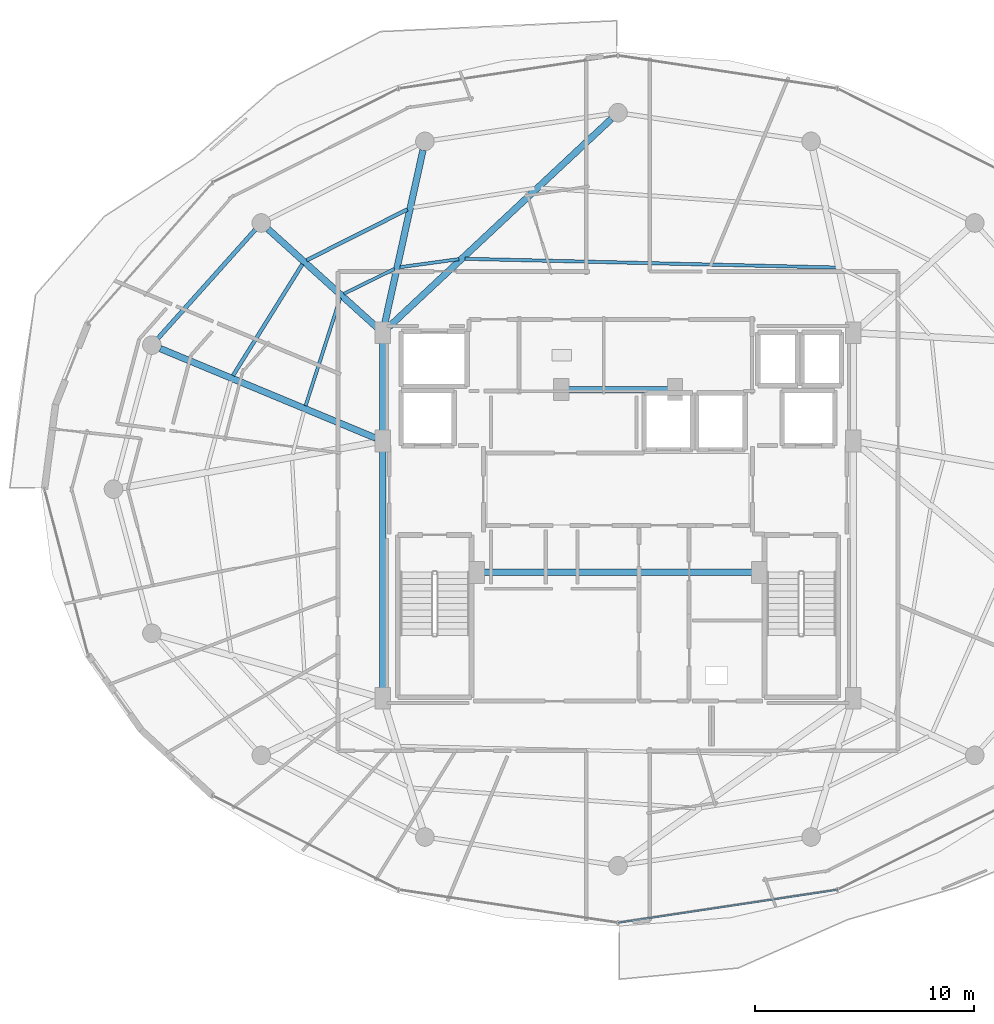
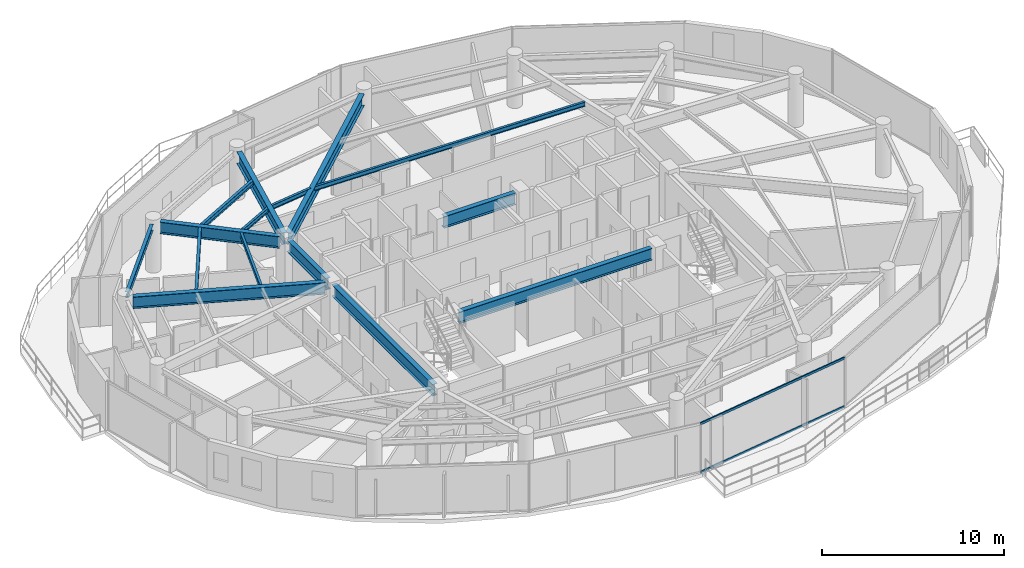
# One storey, part 9 of 30: 15 beams, 2 members, 1 element without a shape of its own.
"""IFC4 building model written with IfcOpenShell, lengths in metres."""

from ifc_helpers import new_model, si_unit, direction, frame, origin, origin_2d, place, context, subcontext, project, spatial, hollow_rectangle, i_section, extrude, material, material_profile, profile_set, type_object, element, aggregate, save


model = new_model("IFC4")

# Units and contexts
model_context = context("Model", 3, precision=1e-05, world=origin(), true_north=direction((0.0, 1.0)))
body_context = subcontext(model_context, "Body", "Model", "MODEL_VIEW")
ifc_project = project(units=[si_unit("LENGTHUNIT", "METRE"), si_unit("AREAUNIT", "SQUARE_METRE"), si_unit("VOLUMEUNIT", "CUBIC_METRE"), si_unit("PLANEANGLEUNIT", "RADIAN"), si_unit("MASSUNIT", "GRAM", prefix="KILO")], contexts=[model_context])

# Site, building, storey
site_placement = place(None, origin())
site = spatial("IfcSite", under=ifc_project, at=site_placement, CompositionType="ELEMENT")
building_placement = place(site_placement, origin())
building = spatial("IfcBuilding", under=site, at=building_placement, Name="Vorneva Point Tower", CompositionType="ELEMENT")
storey_placement = place(building_placement, frame((0.0, 0.0, 241.35009765625)))
storey = spatial("IfcBuildingStorey", under=building, at=storey_placement, Name="L65", CompositionType="ELEMENT", Elevation=241.35009765625)

# Beams
ifc_material_1 = material(Name="Steel S355", Category="steel")
ifc_material_profile_1 = material_profile(ifc_material_1, i_section(OverallWidth=0.300048828125, OverallDepth=0.7880859375, WebThickness=0.014404296875, FlangeThickness=0.02197265625, at=origin_2d()), Name="80Sh1")
ifc_profile_set_1 = profile_set([ifc_material_profile_1], Name="Steel S355")
beam_type_1 = type_object("IfcBeamType", Name="BM-GRD-80Sh1", PredefinedType="USERDEFINED", material=ifc_profile_set_1)
beam_1_placement = place(storey_placement, frame((37.6982421875, 42.91796875, 2.89599609375), z_axis=(-0.730485790946, -0.682927894602, 0.0), x_axis=(0.682927894602, -0.730485790946, 0.0)))
element("IfcBeam", 1, at=beam_1_placement, inside=storey, type_object=beam_type_1, Name="L65 Radial Primary Girder 05", ObjectType="GIRDER", PredefinedType="USERDEFINED", context=body_context, shape_type="SweptSolid", body=[
    extrude(i_section(OverallWidth=0.300048828125, OverallDepth=0.7880859375, WebThickness=0.014404296875, FlangeThickness=0.02197265625, at=origin_2d()), origin(), (0.0, 0.0, 1.0), 13.963134765625),
])
beam_2_placement = place(storey_placement, frame((29.090087890625, 41.4873046875, 2.89599609375), z_axis=(-0.215520742957, -0.976499262342, 0.0), x_axis=(0.976499262342, -0.215520742957, 0.0)))
element("IfcBeam", 2, at=beam_2_placement, inside=storey, type_object=beam_type_1, Name="L65 Radial Primary Girder 06", ObjectType="GIRDER", PredefinedType="USERDEFINED", context=body_context, shape_type="SweptSolid", body=[
    extrude(i_section(OverallWidth=0.300048828125, OverallDepth=0.7880859375, WebThickness=0.014404296875, FlangeThickness=0.02197265625, at=origin_2d()), origin(), (0.0, 0.0, 1.0), 8.197998046875),
])
beam_3_placement = place(storey_placement, frame((22.0078125, 37.885498046875, 2.89599609375), z_axis=(0.7420671051, -0.670325601128, 0.0), x_axis=(0.670325601128, 0.7420671051, 0.0)))
element("IfcBeam", 3, at=beam_3_placement, inside=storey, type_object=beam_type_1, Name="L65 Radial Primary Girder 07", ObjectType="GIRDER", PredefinedType="USERDEFINED", context=body_context, shape_type="SweptSolid", body=[
    extrude(i_section(OverallWidth=0.300048828125, OverallDepth=0.7880859375, WebThickness=0.014404296875, FlangeThickness=0.02197265625, at=origin_2d()), origin(), (0.0, 0.0, 1.0), 6.724365234375),
])
beam_4_placement = place(storey_placement, frame((17.0859375, 32.423583984375, 2.89599609375), z_axis=(0.923448932068, -0.383721344027, 0.0), x_axis=(0.383721344027, 0.923448932068, 0.0)))
element("IfcBeam", 4, at=beam_4_placement, inside=storey, type_object=beam_type_1, Name="L65 Radial Primary Girder 08", ObjectType="GIRDER", PredefinedType="USERDEFINED", context=body_context, shape_type="SweptSolid", body=[
    extrude(i_section(OverallWidth=0.300048828125, OverallDepth=0.7880859375, WebThickness=0.014404296875, FlangeThickness=0.02197265625, at=origin_2d()), origin(), (0.0, 0.0, 1.0), 10.666748046875),
])
beam_5_placement = place(storey_placement, frame((27.25, 16.77001953125, 2.89599609375), z_axis=(0.0, 1.0, 0.0), x_axis=(-1.0, 0.0, 0.0)))
element("IfcBeam", 5, at=beam_5_placement, inside=storey, type_object=beam_type_1, Name="L65 Core Tie Girder CT1", ObjectType="GIRDER", PredefinedType="USERDEFINED", context=body_context, shape_type="SweptSolid", body=[
    extrude(i_section(OverallWidth=0.300048828125, OverallDepth=0.7880859375, WebThickness=0.014404296875, FlangeThickness=0.02197265625, at=origin_2d()), origin(), (0.0, 0.0, 1.0), 11.10986328125),
])
beam_6_placement = place(storey_placement, frame((27.25, 28.52001953125, 2.89599609375), z_axis=(0.0, 1.0, 0.0), x_axis=(-1.0, 0.0, 0.0)))
element("IfcBeam", 6, at=beam_6_placement, inside=storey, type_object=beam_type_1, Name="L65 Core Tie Girder CT2", ObjectType="GIRDER", PredefinedType="USERDEFINED", context=body_context, shape_type="SweptSolid", body=[
    extrude(i_section(OverallWidth=0.300048828125, OverallDepth=0.7880859375, WebThickness=0.014404296875, FlangeThickness=0.02197265625, at=origin_2d()), origin(), (0.0, 0.0, 1.0), 4.31005859375),
])
beam_7_placement = place(storey_placement, frame((35.719970703125, 30.550048828125, 2.89599609375), z_axis=(1.0, 0.0, 0.0), x_axis=(0.0, 1.0, 0.0)))
element("IfcBeam", 7, at=beam_7_placement, inside=storey, type_object=beam_type_1, Name="L65 Core Tie Girder CT8", ObjectType="GIRDER", PredefinedType="USERDEFINED", context=body_context, shape_type="SweptSolid", body=[
    extrude(i_section(OverallWidth=0.300048828125, OverallDepth=0.7880859375, WebThickness=0.014404296875, FlangeThickness=0.02197265625, at=origin_2d()), origin(), (0.0, 0.0, 1.0), 4.56005859375),
])
beam_8_placement = place(storey_placement, frame((31.8701171875, 22.199951171875, 2.89599609375), z_axis=(1.0, 0.0, 0.0), x_axis=(0.0, 1.0, 0.0)))
element("IfcBeam", 8, at=beam_8_placement, inside=storey, type_object=beam_type_1, Name="L65 Core Tie Girder CT7", ObjectType="GIRDER", PredefinedType="USERDEFINED", context=body_context, shape_type="SweptSolid", body=[
    extrude(i_section(OverallWidth=0.300048828125, OverallDepth=0.7880859375, WebThickness=0.014404296875, FlangeThickness=0.02197265625, at=origin_2d()), origin(), (0.0, 0.0, 1.0), 12.259765625),
])
ifc_material_profile_2 = material_profile(ifc_material_1, i_section(OverallWidth=0.14892578125, OverallDepth=0.298095703125, WebThickness=0.005615234375, FlangeThickness=0.008056640625, at=origin_2d()), Name="30B1")
ifc_profile_set_2 = profile_set([ifc_material_profile_2], Name="Steel S355")
beam_type_2 = type_object("IfcBeamType", Name="BM-JST-30B1", PredefinedType="JOIST", material=ifc_profile_set_2)
beam_9_placement = place(storey_placement, frame((47.955810546875, 36.126953125, 3.140869140625), z_axis=(-0.999723274381, 0.023523916799, 0.0), x_axis=(-0.023523916799, -0.999723274381, 0.0)))
element("IfcBeam", 9, at=beam_9_placement, inside=storey, type_object=beam_type_2, Name="L65 Secondary Floor Beam 2.04", PredefinedType="JOIST", context=body_context, shape_type="SweptSolid", body=[
    extrude(i_section(OverallWidth=0.14892578125, OverallDepth=0.298095703125, WebThickness=0.005615234375, FlangeThickness=0.008056640625, at=origin_2d()), origin(), (0.0, 0.0, 1.0), 16.958251953125),
])
beam_10_placement = place(storey_placement, frame((30.7275390625, 36.51025390625, 3.140869140625), z_axis=(-0.990749387049, -0.135704281664, 0.0), x_axis=(0.135704281664, -0.990749387049, 0.0)))
element("IfcBeam", 10, at=beam_10_placement, inside=storey, type_object=beam_type_2, Name="L65 Secondary Floor Beam 2.05", PredefinedType="JOIST", context=body_context, shape_type="SweptSolid", body=[
    extrude(i_section(OverallWidth=0.14892578125, OverallDepth=0.298095703125, WebThickness=0.005615234375, FlangeThickness=0.008056640625, at=origin_2d()), origin(), (0.0, 0.0, 1.0), 2.70947265625),
])
beam_11_placement = place(storey_placement, frame((27.782470703125, 36.062744140625, 3.140869140625), z_axis=(-0.897106439702, -0.441814481254, 0.0), x_axis=(0.441814481254, -0.897106439702, 0.0)))
element("IfcBeam", 11, at=beam_11_placement, inside=storey, type_object=beam_type_2, Name="L65 Secondary Floor Beam 2.06", PredefinedType="JOIST", context=body_context, shape_type="SweptSolid", body=[
    extrude(i_section(OverallWidth=0.14892578125, OverallDepth=0.298095703125, WebThickness=0.005615234375, FlangeThickness=0.008056640625, at=origin_2d()), origin(), (0.0, 0.0, 1.0), 2.572265625),
])
beam_12_placement = place(storey_placement, frame((25.308837890625, 34.73388671875, 3.140869140625), z_axis=(-0.305865464812, -0.952074743618, 0.0), x_axis=(0.952074743618, -0.305865464812, 0.0)))
element("IfcBeam", 12, at=beam_12_placement, inside=storey, type_object=beam_type_2, Name="L65 Secondary Floor Beam 2.07", PredefinedType="JOIST", context=body_context, shape_type="SweptSolid", body=[
    extrude(i_section(OverallWidth=0.14892578125, OverallDepth=0.298095703125, WebThickness=0.005615234375, FlangeThickness=0.008056640625, at=origin_2d()), origin(), (0.0, 0.0, 1.0), 5.169189453125),
])
ifc_material_profile_3 = material_profile(ifc_material_1, i_section(OverallWidth=0.174072265625, OverallDepth=0.345947265625, WebThickness=0.006103515625, FlangeThickness=0.009033203125, at=origin_2d()), Name="35B1")
ifc_profile_set_3 = profile_set([ifc_material_profile_3], Name="Steel S355")
beam_type_3 = type_object("IfcBeamType", Name="BM-SEC-35B1", PredefinedType="BEAM", material=ifc_profile_set_3)
beam_13_placement = place(storey_placement, frame((28.3837890625, 38.783447265625, 3.116943359375), z_axis=(-0.892860048752, -0.450334246246, 0.0), x_axis=(0.450334246246, -0.892860048752, 0.0)))
element("IfcBeam", 13, at=beam_13_placement, inside=storey, type_object=beam_type_3, Name="L65 Secondary Floor Beam 1.06", PredefinedType="BEAM", context=body_context, shape_type="SweptSolid", body=[
    extrude(i_section(OverallWidth=0.174072265625, OverallDepth=0.345947265625, WebThickness=0.006103515625, FlangeThickness=0.009033203125, at=origin_2d()), origin(), (0.0, 0.0, 1.0), 5.158935546875),
])
beam_14_placement = place(storey_placement, frame((23.581298828125, 36.28076171875, 3.116943359375), z_axis=(-0.528831274258, -0.848726978107, 0.0), x_axis=(0.848726978107, -0.528831274258, 0.0)))
element("IfcBeam", 14, at=beam_14_placement, inside=storey, type_object=beam_type_3, Name="L65 Secondary Floor Beam 1.07", PredefinedType="BEAM", context=body_context, shape_type="SweptSolid", body=[
    extrude(i_section(OverallWidth=0.174072265625, OverallDepth=0.345947265625, WebThickness=0.006103515625, FlangeThickness=0.009033203125, at=origin_2d()), origin(), (0.0, 0.0, 1.0), 5.997802734375),
])
ifc_material_profile_4 = material_profile(ifc_material_1, i_section(OverallWidth=0.198974609375, OverallDepth=0.39599609375, WebThickness=0.007080078125, FlangeThickness=0.010986328125, at=origin_2d()), Name="40B1")
ifc_profile_set_4 = profile_set([ifc_material_profile_4], Name="Steel S355")
beam_type_4 = type_object("IfcBeamType", Name="BM-SPN-40B1", PredefinedType="SPANDREL", material=ifc_profile_set_4)
beam_15_placement = place(storey_placement, frame((21.427734375, 37.856689453125, 3.091796875), z_axis=(-0.667108282638, -0.744960763554, 0.0), x_axis=(0.744960763554, -0.667108282638, 0.0)))
element("IfcBeam", 15, at=beam_15_placement, inside=storey, type_object=beam_type_4, Name="L65 Perimeter Spandrel Ring Beam 07", PredefinedType="SPANDREL", context=body_context, shape_type="SweptSolid", body=[
    extrude(i_section(OverallWidth=0.198974609375, OverallDepth=0.39599609375, WebThickness=0.007080078125, FlangeThickness=0.010986328125, at=origin_2d()), origin(), (0.0, 0.0, 1.0), 6.670166015625),
])

# Curtain wall, members
ifc_material_2 = material(Name="Pale anodised aluminium", Category="aluminium")
curtain_wall_type = type_object("IfcCurtainWallType", Name="CW-RES-SYS", PredefinedType="NOTDEFINED", material=ifc_material_2)
curtain_wall_placement = place(storey_placement, origin())
curtain_wall = element("IfcCurtainWall", 16, at=curtain_wall_placement, inside=storey, type_object=curtain_wall_type, Name="L65 Unitised Curtain Wall CW-L65-R04", PredefinedType="NOTDEFINED")
ifc_material_profile_5 = material_profile(ifc_material_2, hollow_rectangle(XDim=0.074951171875, YDim=0.14990234375, WallThickness=0.00390625, at=origin_2d()), Name="AL-TRN 150x75x4")
ifc_profile_set_5 = profile_set([ifc_material_profile_5], Name="Pale anodised aluminium")
member_type = type_object("IfcMemberType", Name="CW-TRN-150", PredefinedType="USERDEFINED", material=ifc_profile_set_5)
member_1_placement = place(storey_placement, frame((38.0, 6.18994140625, 0.02001953125), z_axis=(0.988876929856, 0.148736066907, 0.0), x_axis=(-0.148736066907, 0.988876929856, 0.0)))
member_1 = element("IfcMember", 17, at=member_1_placement, type_object=member_type, Name="CW-L65-R04 Transom 03.1", ObjectType="TRANSOM", PredefinedType="USERDEFINED", context=body_context, shape_type="SweptSolid", body=[
    extrude(hollow_rectangle(XDim=0.074951171875, YDim=0.14990234375, WallThickness=0.00390625, at=origin_2d()), origin(), (0.0, 0.0, 1.0), 10.13916015625),
])
member_2_placement = place(storey_placement, frame((38.0, 6.18994140625, 3.27001953125), z_axis=(0.988876929856, 0.148736066907, 0.0), x_axis=(-0.148736066907, 0.988876929856, 0.0)))
member_2 = element("IfcMember", 18, at=member_2_placement, type_object=member_type, Name="CW-L65-R04 Transom 03.2", ObjectType="TRANSOM", PredefinedType="USERDEFINED", context=body_context, shape_type="SweptSolid", body=[
    extrude(hollow_rectangle(XDim=0.074951171875, YDim=0.14990234375, WallThickness=0.00390625, at=origin_2d()), origin(), (0.0, 0.0, 1.0), 10.13916015625),
])
aggregate(curtain_wall, [member_1, member_2])

save(model, "model.ifc")
